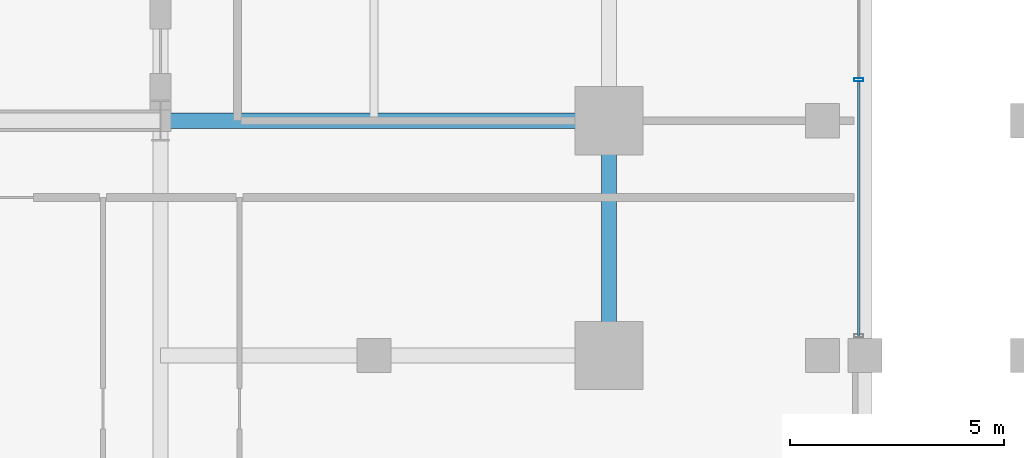
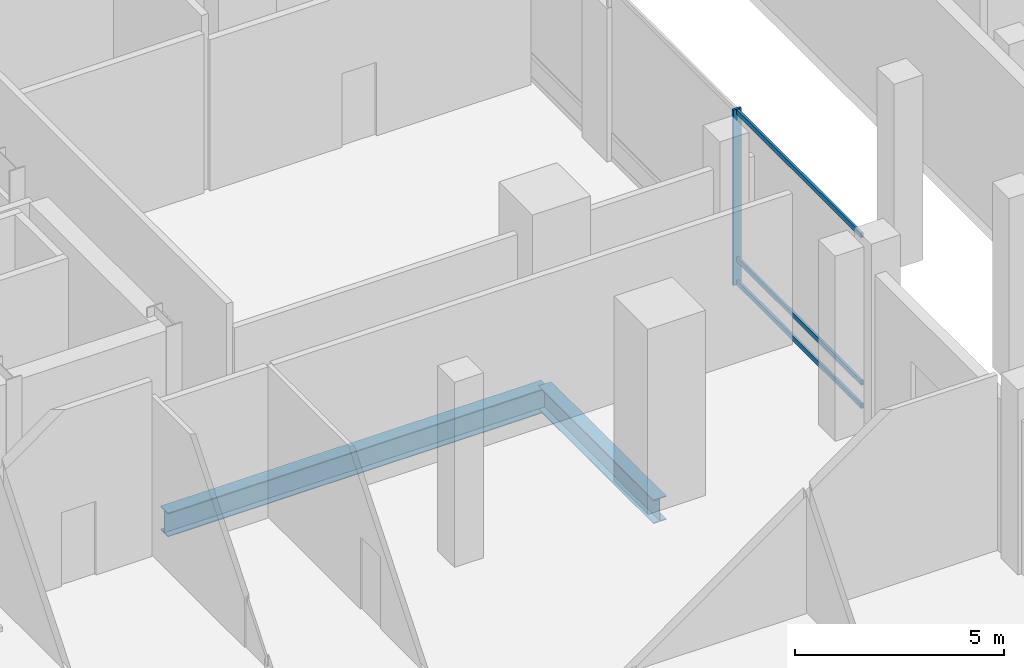
# One storey, part 8 of 32: 4 members, 2 beams, 1 element without a shape of its own.
"""IFC4 building model written with IfcOpenShell, lengths in metres."""

from ifc_helpers import new_model, si_unit, direction, frame, origin, origin_2d, place, context, subcontext, project, spatial, hollow_rectangle, i_section, extrude, material, layer, layer_set, material_profile, profile_set, type_object, element, aggregate, save


model = new_model("IFC4")

# Units and contexts
model_context = context("Model", 3, precision=1e-05, world=origin(), true_north=direction((0.0, 1.0)))
body_context = subcontext(model_context, "Body", "Model", "MODEL_VIEW")
ifc_project = project(units=[si_unit("LENGTHUNIT", "METRE"), si_unit("AREAUNIT", "SQUARE_METRE"), si_unit("VOLUMEUNIT", "CUBIC_METRE"), si_unit("PLANEANGLEUNIT", "RADIAN"), si_unit("MASSUNIT", "GRAM", prefix="KILO")], contexts=[model_context])

# Site, building, storey
site_placement = place(None, origin())
site = spatial("IfcSite", under=ifc_project, at=site_placement, CompositionType="ELEMENT")
building_placement = place(site_placement, origin())
building = spatial("IfcBuilding", under=site, at=building_placement, Name="Barlavira Tower and Art Museum", CompositionType="ELEMENT")
storey_placement = place(building_placement, frame((0.0, 0.0, 6.0)))
storey = spatial("IfcBuildingStorey", under=building, at=storey_placement, Name="L01", CompositionType="ELEMENT", Elevation=6.0)

# Curtain wall, members
ifc_material_1 = material(Name="Low-iron coastal laminated glass", Category="glass")
ifc_layer = layer(ifc_material_1, 0.219970703125, Name="Low-iron coastal laminated glass")
ifc_layer_set = layer_set([ifc_layer], Name="Low-iron coastal laminated glass")
curtain_wall_type = type_object("IfcCurtainWallType", Name="Double-Height Podium Arcade Storefront Curtain Wall", PredefinedType="NOTDEFINED", material=ifc_layer_set)
curtain_wall_placement = place(storey_placement, origin())
curtain_wall = element("IfcCurtainWall", 1, at=curtain_wall_placement, inside=storey, type_object=curtain_wall_type, Name="L01 Curtain Wall CW5-L01-ES", PredefinedType="NOTDEFINED")
ifc_material_2 = material(Name="Pale anodised aluminium", Category="aluminium")
ifc_material_profile_1 = material_profile(ifc_material_2, hollow_rectangle(XDim=0.074951171875, YDim=0.219970703125, WallThickness=0.0048828125, at=origin_2d()), Name="ALU-MULL 75x220x5")
ifc_profile_set_1 = profile_set([ifc_material_profile_1], Name="Pale anodised aluminium")
member_type_1 = type_object("IfcMemberType", Name="Curtain Wall Heavy Pale-Metal Mullion 75x220", PredefinedType="MULLION", material=ifc_profile_set_1)
member_1_placement = place(storey_placement, frame((22.85009765625, -6.5400390625, 0.0), z_axis=(0.0, 0.0, 1.0), x_axis=(0.0, 1.0, 0.0)))
member_1 = element("IfcMember", 2, at=member_1_placement, type_object=member_type_1, Name="CW5-L01-ES Mullion 1", PredefinedType="MULLION", context=body_context, shape_type="SweptSolid", body=[
    extrude(hollow_rectangle(XDim=0.074951171875, YDim=0.219970703125, WallThickness=0.0048828125, at=origin_2d()), origin(), (0.0, 0.0, 1.0), 5.1201171875),
])
ifc_material_profile_2 = material_profile(ifc_material_2, hollow_rectangle(XDim=0.06494140625, YDim=0.139892578125, WallThickness=0.00390625, at=origin_2d()), Name="ALU-TRAN 65x140x4")
ifc_profile_set_2 = profile_set([ifc_material_profile_2], Name="Pale anodised aluminium")
member_type_2 = type_object("IfcMemberType", Name="Curtain Wall Pale-Metal Transom 65x140", PredefinedType="USERDEFINED", material=ifc_profile_set_2)
member_2_placement = place(storey_placement, frame((22.85009765625, -12.534912109375, 0.070068359375), z_axis=(0.0, 1.0, 0.0), x_axis=(-1.0, 0.0, 0.0)))
member_2 = element("IfcMember", 3, at=member_2_placement, type_object=member_type_2, Name="CW5-L01-ES Transom 0.1", ObjectType="TRANSOM", PredefinedType="USERDEFINED", context=body_context, shape_type="SweptSolid", body=[
    extrude(hollow_rectangle(XDim=0.06494140625, YDim=0.139892578125, WallThickness=0.00390625, at=origin_2d()), origin(), (0.0, 0.0, 1.0), 5.949951171875),
])
member_3_placement = place(storey_placement, frame((22.85009765625, -12.534912109375, 0.75), z_axis=(0.0, 1.0, 0.0), x_axis=(-1.0, 0.0, 0.0)))
member_3 = element("IfcMember", 4, at=member_3_placement, type_object=member_type_2, Name="CW5-L01-ES Transom 0.2", ObjectType="TRANSOM", PredefinedType="USERDEFINED", context=body_context, shape_type="SweptSolid", body=[
    extrude(hollow_rectangle(XDim=0.06494140625, YDim=0.139892578125, WallThickness=0.00390625, at=origin_2d()), origin(), (0.0, 0.0, 1.0), 5.949951171875),
])
member_4_placement = place(storey_placement, frame((22.85009765625, -12.534912109375, 5.050048828125), z_axis=(0.0, 1.0, 0.0), x_axis=(-1.0, 0.0, 0.0)))
member_4 = element("IfcMember", 5, at=member_4_placement, type_object=member_type_2, Name="CW5-L01-ES Transom 0.3", ObjectType="TRANSOM", PredefinedType="USERDEFINED", context=body_context, shape_type="SweptSolid", body=[
    extrude(hollow_rectangle(XDim=0.06494140625, YDim=0.139892578125, WallThickness=0.00390625, at=origin_2d()), origin(), (0.0, 0.0, 1.0), 5.949951171875),
])
aggregate(curtain_wall, [member_1, member_2, member_3, member_4])

# Beams
ifc_material_3 = material(Name="Steel S355", Category="steel")
ifc_material_profile_3 = material_profile(ifc_material_3, i_section(OverallWidth=0.35595703125, OverallDepth=0.695068359375, WebThickness=0.014892578125, FlangeThickness=0.023681640625, at=origin_2d()), Name="W690x192.0")
ifc_profile_set_3 = profile_set([ifc_material_profile_3], Name="Steel S355")
beam_type = type_object("IfcBeamType", Name="Podium Primary Girder W690x192 Steel S355", PredefinedType="BEAM", material=ifc_profile_set_3)
beam_1_placement = place(storey_placement, frame((17.0, -13.0, -0.62744140625), z_axis=(0.0, 1.0, 0.0), x_axis=(-1.0, 0.0, 0.0)))
element("IfcBeam", 6, at=beam_1_placement, inside=storey, type_object=beam_type, Name="L01 Girder M-E1", PredefinedType="BEAM", context=body_context, shape_type="SweptSolid", body=[
    extrude(i_section(OverallWidth=0.35595703125, OverallDepth=0.695068359375, WebThickness=0.014892578125, FlangeThickness=0.023681640625, at=origin_2d()), origin(), (0.0, 0.0, 1.0), 5.5),
])
beam_2_placement = place(storey_placement, frame((6.5, -7.5, -0.62744140625), z_axis=(1.0, 0.0, 0.0), x_axis=(0.0, 1.0, 0.0)))
element("IfcBeam", 7, at=beam_2_placement, inside=storey, type_object=beam_type, Name="L01 Girder R-E1", PredefinedType="BEAM", context=body_context, shape_type="SweptSolid", body=[
    extrude(i_section(OverallWidth=0.35595703125, OverallDepth=0.695068359375, WebThickness=0.014892578125, FlangeThickness=0.023681640625, at=origin_2d()), origin(), (0.0, 0.0, 1.0), 10.5),
])

save(model, "model.ifc")
